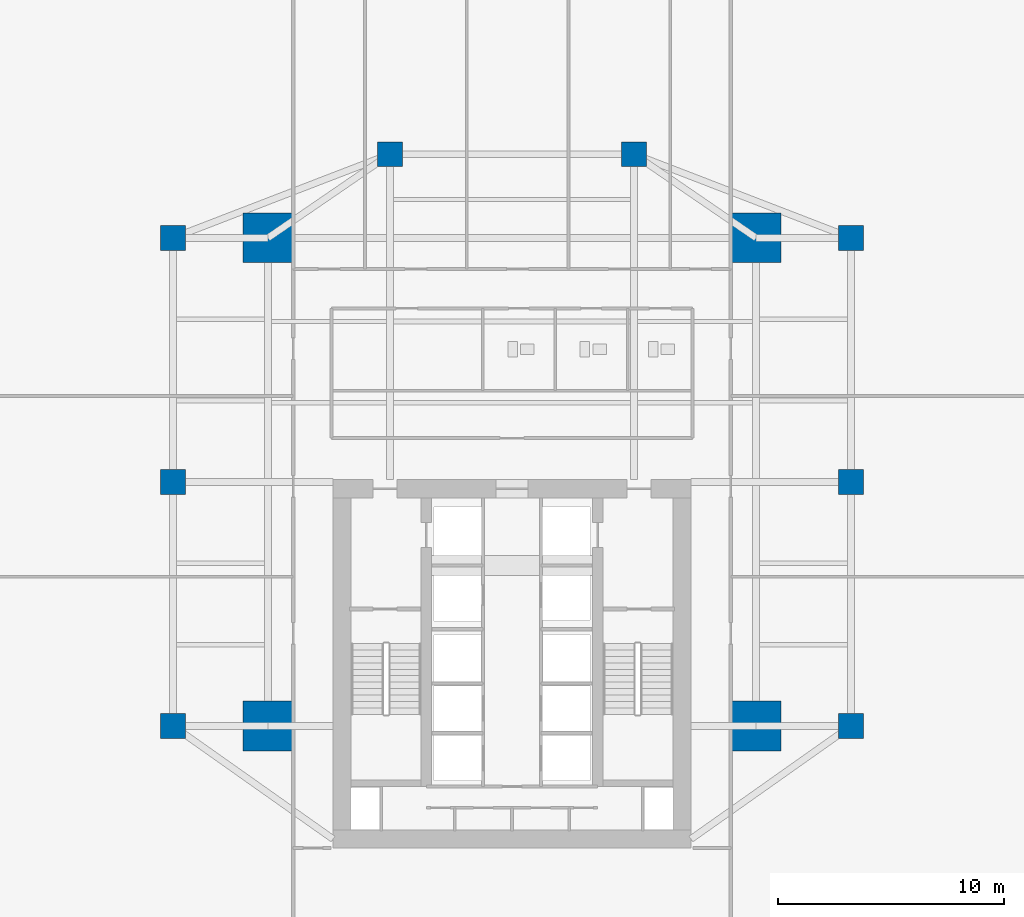
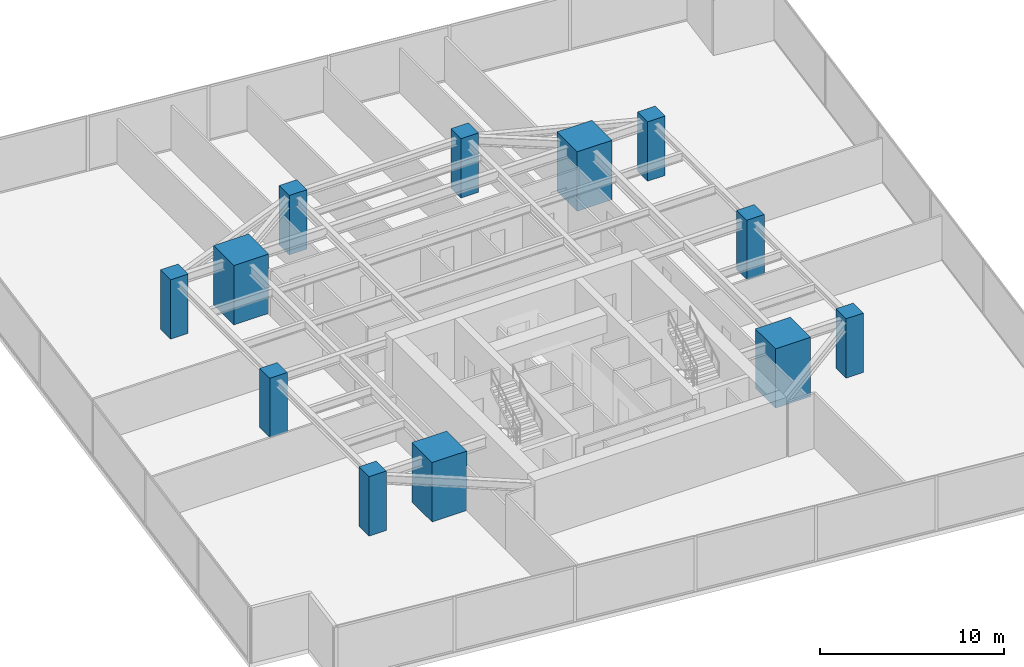
# One storey, part 1 of 29: 12 columns.
"""IFC4 building model written with IfcOpenShell, lengths in metres."""

from ifc_helpers import new_model, si_unit, direction, frame, origin, origin_2d, place, context, subcontext, project, spatial, rectangle, extrude, source, transform, mapped, material, material_profile, profile_set, type_object, type_shapes, element, save


model = new_model("IFC4")

# Units and contexts
model_context = context("Model", 3, precision=1e-05, world=origin(), true_north=direction((0.0, 1.0)))
body_context = subcontext(model_context, "Body", "Model", "MODEL_VIEW")
ifc_project = project(units=[si_unit("LENGTHUNIT", "METRE"), si_unit("AREAUNIT", "SQUARE_METRE"), si_unit("VOLUMEUNIT", "CUBIC_METRE"), si_unit("PLANEANGLEUNIT", "RADIAN"), si_unit("MASSUNIT", "GRAM", prefix="KILO")], contexts=[model_context])

# Site, building, storey
site_placement = place(None, origin())
site = spatial("IfcSite", under=ifc_project, at=site_placement, CompositionType="ELEMENT")
building_placement = place(site_placement, origin())
building = spatial("IfcBuilding", under=site, at=building_placement, Name="Krantzveldt Concourse Tower", CompositionType="ELEMENT")
storey_placement = place(building_placement, frame((0.0, 0.0, 60.550048828125)))
storey = spatial("IfcBuildingStorey", under=building, at=storey_placement, Name="L14", CompositionType="ELEMENT", Elevation=60.550048828125)

# Columns
ifc_material = material(Name="Concrete C60/75", Category="concrete")
ifc_material_profile_1 = material_profile(ifc_material, rectangle(XDim=2.199951171875, YDim=2.199951171875, at=origin_2d()), Name="Concrete C60/75", Category="concrete")
ifc_profile_set_1 = profile_set([ifc_material_profile_1], Name="Concrete C60/75 - RC 2200x2200")
column_type_1 = type_object("IfcColumnType", Name="COL-MC-2200", PredefinedType="USERDEFINED", material=ifc_profile_set_1)
shared_shape_1 = source(origin(), body_context, "Body", "SweptSolid", [
    extrude(rectangle(XDim=2.199951171875, YDim=2.199951171875, at=origin_2d()), origin(), (0.0, 0.0, 1.0), 3.949951171875),
])
type_shapes(column_type_1, [shared_shape_1])
for number, where, z_axis, x_axis, name in (
    (1, (25.199951171875, 15.89990234375, 0.0), (0.0, 0.0, 1.0), (1.0, 0.0, 0.0), "MC-SW-L14"),
    (2, (46.800048828125, 15.89990234375, 0.0), (0.0, 0.0, 1.0), (1.0, 0.0, 0.0), "MC-SE-L14"),
    (3, (46.800048828125, 37.5, 0.0), (0.0, 0.0, 1.0), (1.0, 0.0, 0.0), "MC-NE-L14"),
    (4, (25.199951171875, 37.5, 0.0), (0.0, 0.0, 1.0), (1.0, 0.0, 0.0), "MC-NW-L14"),
):
    element("IfcColumn", number, at=place(storey_placement, frame(where, z_axis=z_axis, x_axis=x_axis)), inside=storey, type_object=column_type_1, Name=name, ObjectType="MEGA COLUMN", PredefinedType="USERDEFINED", context=body_context, shape_type="MappedRepresentation", body=[
        mapped(shared_shape_1, transform((0.0, 0.0, 0.0), x_axis=(1.0, 0.0, 0.0), y_axis=(0.0, 1.0, 0.0), z_axis=(0.0, 0.0, 1.0), scale=1.0)),
    ])
ifc_material_profile_2 = material_profile(ifc_material, rectangle(XDim=1.10009765625, YDim=1.10009765625, at=origin_2d()), Name="Concrete C60/75", Category="concrete")
ifc_profile_set_2 = profile_set([ifc_material_profile_2], Name="Concrete C60/75 - RC 1100x1100")
column_type_2 = type_object("IfcColumnType", Name="COL-C-Z1", PredefinedType="COLUMN", material=ifc_profile_set_2)
shared_shape_2 = source(origin(), body_context, "Body", "SweptSolid", [
    extrude(rectangle(XDim=1.10009765625, YDim=1.10009765625, at=origin_2d()), origin(), (0.0, 0.0, 1.0), 3.949951171875),
])
type_shapes(column_type_2, [shared_shape_2])
for number, where, z_axis, x_axis, name in (
    (5, (21.0, 15.89990234375, 0.0), (0.0, 0.0, 1.0), (1.0, 0.0, 0.0), "PC-R01-L14"),
    (6, (21.0, 26.699951171875, 0.0), (0.0, 0.0, 1.0), (1.0, 0.0, 0.0), "PC-R02-L14"),
    (7, (21.0, 37.5, 0.0), (0.0, 0.0, 1.0), (1.0, 0.0, 0.0), "PC-R03-L14"),
    (8, (30.60009765625, 41.199951171875, 0.0), (0.0, 0.0, 1.0), (1.0, 0.0, 0.0), "PC-R04-L14"),
    (9, (41.39990234375, 41.199951171875, 0.0), (0.0, 0.0, 1.0), (1.0, 0.0, 0.0), "PC-R05-L14"),
    (10, (51.0, 37.5, 0.0), (0.0, 0.0, 1.0), (1.0, 0.0, 0.0), "PC-R06-L14"),
    (11, (51.0, 26.699951171875, 0.0), (0.0, 0.0, 1.0), (1.0, 0.0, 0.0), "PC-R07-L14"),
    (12, (51.0, 15.89990234375, 0.0), (0.0, 0.0, 1.0), (1.0, 0.0, 0.0), "PC-R08-L14"),
):
    element("IfcColumn", number, at=place(storey_placement, frame(where, z_axis=z_axis, x_axis=x_axis)), inside=storey, type_object=column_type_2, Name=name, PredefinedType="COLUMN", context=body_context, shape_type="MappedRepresentation", body=[
        mapped(shared_shape_2, transform((0.0, 0.0, 0.0), x_axis=(1.0, 0.0, 0.0), y_axis=(0.0, 1.0, 0.0), z_axis=(0.0, 0.0, 1.0), scale=1.0)),
    ])

save(model, "model.ifc")
